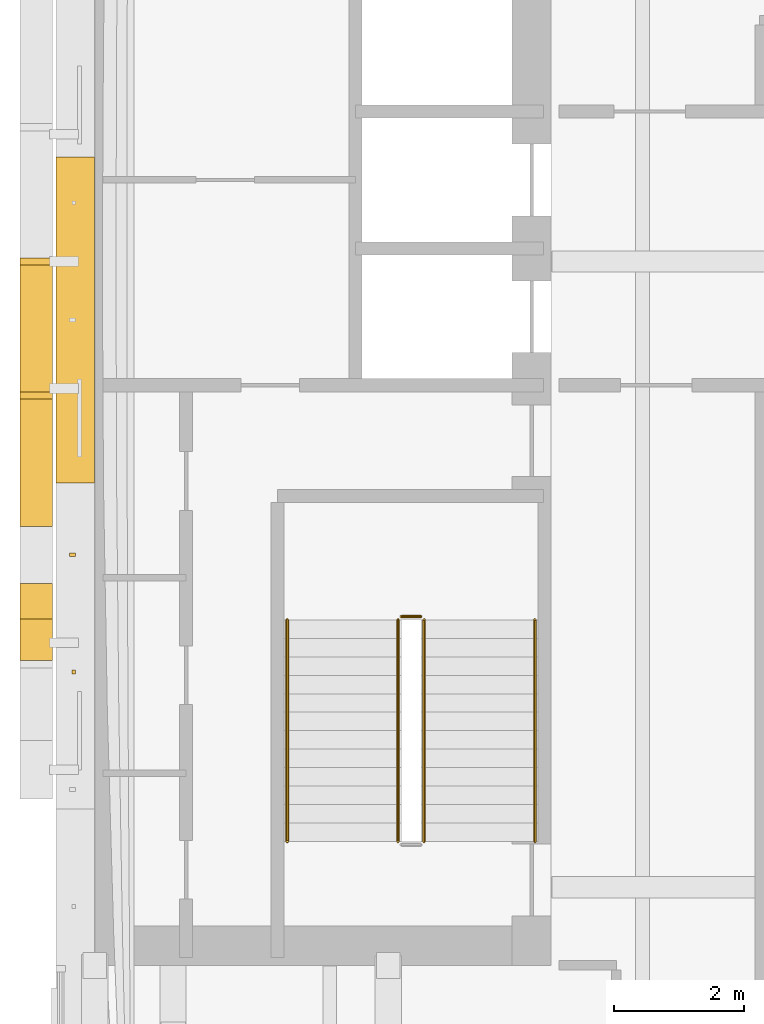
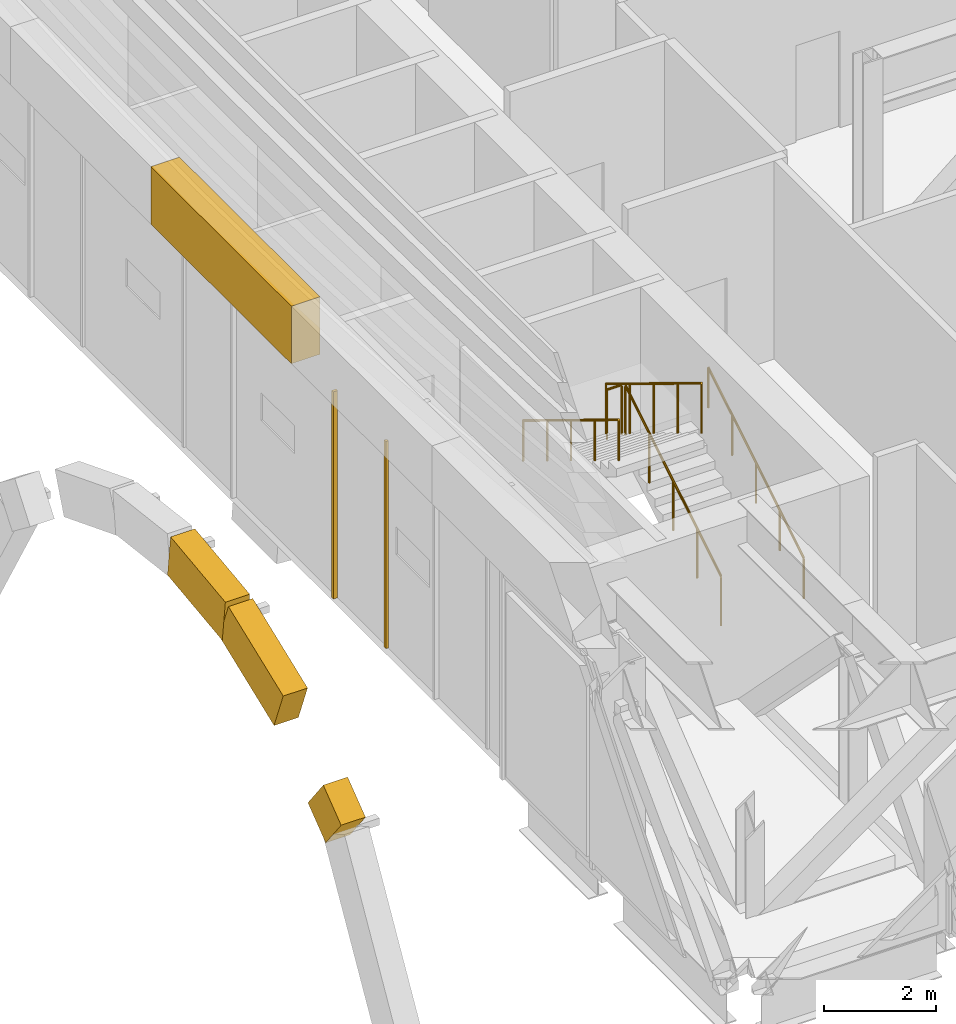
# One storey, part 19 of 38: 6 coverings, 5 railings.
"""IFC4 building model written with IfcOpenShell, lengths in metres."""

from ifc_helpers import new_model, si_unit, direction, frame, origin, origin_2d, place, context, subcontext, project, spatial, polyline, rectangle, circle, outline, extrude, material, material_profile, profile_set, type_object, element, save


model = new_model("IFC4")

# Units and contexts
model_context = context("Model", 3, precision=1e-05, world=origin(), true_north=direction((0.0, 1.0)))
body_context = subcontext(model_context, "Body", "Model", "MODEL_VIEW")
ifc_project = project(units=[si_unit("LENGTHUNIT", "METRE"), si_unit("AREAUNIT", "SQUARE_METRE"), si_unit("VOLUMEUNIT", "CUBIC_METRE"), si_unit("PLANEANGLEUNIT", "RADIAN"), si_unit("MASSUNIT", "GRAM", prefix="KILO")], contexts=[model_context])

# Site, building, storey
site_placement = place(None, origin())
site = spatial("IfcSite", under=ifc_project, at=site_placement, CompositionType="ELEMENT")
building_placement = place(site_placement, origin())
building = spatial("IfcBuilding", under=site, at=building_placement, Name="Cobrizo Arcos Hotel Tower", CompositionType="ELEMENT")
storey_placement = place(building_placement, frame((0.0, 0.0, 138.0)))
storey = spatial("IfcBuildingStorey", under=building, at=storey_placement, Name="L35", CompositionType="ELEMENT", Elevation=138.0)

# Coverings
ifc_material_1 = material(Name="Aluminium 6063-T6 anodised pale", Category="aluminium")
ifc_material_profile = material_profile(ifc_material_1, rectangle(XDim=0.5, YDim=0.89990234375, at=origin_2d()), Name="AF-2 core arch rim 500x900")
ifc_profile_set = profile_set([ifc_material_profile], Name="Aluminium 6063-T6 anodised pale")
covering_type_1 = type_object("IfcCoveringType", Name="AF-2 core arch rim 500x900", PredefinedType="CLADDING", material=ifc_profile_set)
covering_1_placement = place(storey_placement, frame((-23.699951171875, -5.85009765625, -4.03369140625), z_axis=(0.0, 0.793802879778, 0.60817512943), x_axis=(-1.0, 0.0, 0.0)))
element("IfcCovering", 1, at=covering_1_placement, inside=storey, type_object=covering_type_1, Name="Arch rim B W face", PredefinedType="CLADDING", context=body_context, shape_type="SweptSolid", body=[
    extrude(rectangle(XDim=0.5, YDim=0.89990234375, at=origin_2d()), origin(), (0.0, 0.0, 1.0), 0.799560546875),
])
covering_2_placement = place(storey_placement, frame((-23.699951171875, -3.89990234375, -2.53955078125), z_axis=(0.0, 0.931493782789, 0.363757244087), x_axis=(-1.0, 0.0, 0.0)))
element("IfcCovering", 2, at=covering_2_placement, inside=storey, type_object=covering_type_1, Name="Arch rim B W face", PredefinedType="CLADDING", context=body_context, shape_type="SweptSolid", body=[
    extrude(rectangle(XDim=0.5, YDim=0.89990234375, at=origin_2d()), origin(), (0.0, 0.0, 1.0), 2.09326171875),
])
covering_3_placement = place(storey_placement, frame((-23.699951171875, -1.949951171875, -1.778076171875), z_axis=(0.0, 0.992631300505, 0.121173847251), x_axis=(-1.0, 0.0, 0.0)))
element("IfcCovering", 3, at=covering_3_placement, inside=storey, type_object=covering_type_1, Name="Arch rim B W face", PredefinedType="CLADDING", context=body_context, shape_type="SweptSolid", body=[
    extrude(rectangle(XDim=0.5, YDim=0.89990234375, at=origin_2d()), origin(), (0.0, 0.0, 1.0), 1.96435546875),
])
covering_type_2 = type_object("IfcCoveringType", Name="LF-1 setback skirt", PredefinedType="CLADDING", material=ifc_material_1)
covering_4_placement = place(storey_placement, frame((0.0, 0.0, 4.5)))
element("IfcCovering", 4, at=covering_4_placement, inside=storey, type_object=covering_type_2, Name="Setback skirt L35", PredefinedType="CLADDING", context=body_context, shape_type="SweptSolid", body=[
    extrude(outline(polyline([(-22.81005859375, -3.39990234375), (-22.81005859375, 1.60009765625), (-23.39990234375, 1.60009765625), (-23.39990234375, -3.39990234375), (-22.81005859375, -3.39990234375)])), origin(), (0.0, 0.0, 1.0), 1.25),
])
covering_type_3 = type_object("IfcCoveringType", Name="RS-1 rainscreen rib 60x90", PredefinedType="CLADDING", material=ifc_material_1)
covering_5_placement = place(storey_placement, frame((-23.14501953125, -4.5, 0.0), z_axis=(0.0, 0.0, 1.0), x_axis=(0.0, -1.0, 0.0)))
element("IfcCovering", 5, at=covering_5_placement, inside=storey, type_object=covering_type_3, Name="Rainscreen rib 57", PredefinedType="CLADDING", context=body_context, shape_type="SweptSolid", body=[
    extrude(rectangle(XDim=0.06005859375, YDim=0.090087890625, at=origin_2d()), origin(), (0.0, 0.0, 1.0), 4.5),
])
covering_type_4 = type_object("IfcCoveringType", Name="RS-2 rainscreen rib 60x50", PredefinedType="CLADDING", material=ifc_material_1)
covering_6_placement = place(storey_placement, frame((-23.125, -6.300048828125, 0.0), z_axis=(0.0, 0.0, 1.0), x_axis=(0.0, -1.0, 0.0)))
element("IfcCovering", 6, at=covering_6_placement, inside=storey, type_object=covering_type_4, Name="Rainscreen rib 58", PredefinedType="CLADDING", context=body_context, shape_type="SweptSolid", body=[
    extrude(rectangle(XDim=0.06005859375, YDim=0.050048828125, at=origin_2d()), origin(), (0.0, 0.0, 1.0), 4.5),
])

# Railings
ifc_material_2 = material(Name="Stainless steel railing", Category="steel")
railing_type_1 = type_object("IfcRailingType", Name="Stair guard 1100", PredefinedType="GUARDRAIL", material=ifc_material_2)
railing_1_placement = place(storey_placement, frame((-17.75, -8.89990234375, 0.173095703125)))
element("IfcRailing", 7, at=railing_1_placement, inside=storey, type_object=railing_type_1, Name="L35 ST-W stair guard 1", PredefinedType="GUARDRAIL", context=body_context, shape_type="SweptSolid", body=[
    extrude(circle(Radius=0.02392578125, at=origin_2d()), frame((0.0, 0.0, 1.076171875), z_axis=(0.0, 0.853372706543, 0.52130127923), x_axis=(-1.0, 0.0, 0.0)), (0.0, 0.0, 1.0), 3.984130859375),
    extrude(circle(Radius=0.02099609375, at=origin_2d()), origin(), (0.0, 0.0, 1.0), 1.052001953125),
    extrude(circle(Radius=0.02099609375, at=origin_2d()), frame((0.0, 0.85009765625, 0.519287109375)), (0.0, 0.0, 1.0), 1.052001953125),
    extrude(circle(Radius=0.02099609375, at=origin_2d()), frame((0.0, 1.699951171875, 1.03857421875)), (0.0, 0.0, 1.0), 1.052001953125),
    extrude(circle(Radius=0.02099609375, at=origin_2d()), frame((0.0, 2.5498046875, 1.5576171875)), (0.0, 0.0, 1.0), 1.052001953125),
    extrude(circle(Radius=0.02099609375, at=origin_2d()), frame((0.0, 3.39990234375, 2.076904296875)), (0.0, 0.0, 1.0), 1.052001953125),
])
railing_2_placement = place(storey_placement, frame((-17.800048828125, -5.449951171875, 2.25)))
element("IfcRailing", 8, at=railing_2_placement, inside=storey, type_object=railing_type_1, Name="L35 ST-W stair guard 2", PredefinedType="GUARDRAIL", context=body_context, shape_type="SweptSolid", body=[
    extrude(circle(Radius=0.02392578125, at=origin_2d()), frame((0.0, 0.0, 1.076171875), z_axis=(-1.0, 0.0, 0.0), x_axis=(0.0, -1.0, 0.0)), (0.0, 0.0, 1.0), 0.300048828125),
    extrude(circle(Radius=0.02099609375, at=origin_2d()), origin(), (0.0, 0.0, 1.0), 1.052001953125),
    extrude(circle(Radius=0.02099609375, at=origin_2d()), frame((-0.300048828125, 0.0, 0.0)), (0.0, 0.0, 1.0), 1.052001953125),
])
railing_3_placement = place(storey_placement, frame((-18.14990234375, -5.5, 2.423095703125)))
element("IfcRailing", 9, at=railing_3_placement, inside=storey, type_object=railing_type_1, Name="L35 ST-W stair guard 3", PredefinedType="GUARDRAIL", context=body_context, shape_type="SweptSolid", body=[
    extrude(circle(Radius=0.02392578125, at=origin_2d()), frame((0.0, 0.0, 1.076171875), z_axis=(0.0, -0.853372706543, 0.52130127923), x_axis=(1.0, 0.0, 0.0)), (0.0, 0.0, 1.0), 3.984130859375),
    extrude(circle(Radius=0.02099609375, at=origin_2d()), origin(), (0.0, 0.0, 1.0), 1.052001953125),
    extrude(circle(Radius=0.02099609375, at=origin_2d()), frame((0.0, -0.85009765625, 0.519287109375)), (0.0, 0.0, 1.0), 1.052001953125),
    extrude(circle(Radius=0.02099609375, at=origin_2d()), frame((0.0, -1.699951171875, 1.03857421875)), (0.0, 0.0, 1.0), 1.052001953125),
    extrude(circle(Radius=0.02099609375, at=origin_2d()), frame((0.0, -2.5498046875, 1.5576171875)), (0.0, 0.0, 1.0), 1.052001953125),
    extrude(circle(Radius=0.02099609375, at=origin_2d()), frame((0.0, -3.39990234375, 2.076904296875)), (0.0, 0.0, 1.0), 1.052001953125),
])
railing_type_2 = type_object("IfcRailingType", Name="Stair handrail", PredefinedType="HANDRAIL", material=ifc_material_2)
railing_4_placement = place(storey_placement, frame((-16.050048828125, -8.89990234375, 0.173095703125)))
element("IfcRailing", 10, at=railing_4_placement, inside=storey, type_object=railing_type_2, Name="L35 ST-W stair handrail 1", PredefinedType="HANDRAIL", context=body_context, shape_type="SweptSolid", body=[
    extrude(circle(Radius=0.02392578125, at=origin_2d()), frame((0.0, 0.0, 0.8759765625), z_axis=(0.0, 0.853372706543, 0.52130127923), x_axis=(-1.0, 0.0, 0.0)), (0.0, 0.0, 1.0), 3.984130859375),
    extrude(circle(Radius=0.02099609375, at=origin_2d()), origin(), (0.0, 0.0, 1.0), 0.851806640625),
    extrude(circle(Radius=0.02099609375, at=origin_2d()), frame((0.0, 0.85009765625, 0.519287109375)), (0.0, 0.0, 1.0), 0.851806640625),
    extrude(circle(Radius=0.02099609375, at=origin_2d()), frame((0.0, 1.699951171875, 1.03857421875)), (0.0, 0.0, 1.0), 0.851806640625),
    extrude(circle(Radius=0.02099609375, at=origin_2d()), frame((0.0, 2.5498046875, 1.5576171875)), (0.0, 0.0, 1.0), 0.851806640625),
    extrude(circle(Radius=0.02099609375, at=origin_2d()), frame((0.0, 3.39990234375, 2.076904296875)), (0.0, 0.0, 1.0), 0.851806640625),
])
railing_5_placement = place(storey_placement, frame((-19.85009765625, -5.5, 2.423095703125)))
element("IfcRailing", 11, at=railing_5_placement, inside=storey, type_object=railing_type_2, Name="L35 ST-W stair handrail 2", PredefinedType="HANDRAIL", context=body_context, shape_type="SweptSolid", body=[
    extrude(circle(Radius=0.02392578125, at=origin_2d()), frame((0.0, 0.0, 0.8759765625), z_axis=(0.0, -0.853372706543, 0.52130127923), x_axis=(1.0, 0.0, 0.0)), (0.0, 0.0, 1.0), 3.984130859375),
    extrude(circle(Radius=0.02099609375, at=origin_2d()), origin(), (0.0, 0.0, 1.0), 0.851806640625),
    extrude(circle(Radius=0.02099609375, at=origin_2d()), frame((0.0, -0.85009765625, 0.519287109375)), (0.0, 0.0, 1.0), 0.851806640625),
    extrude(circle(Radius=0.02099609375, at=origin_2d()), frame((0.0, -1.699951171875, 1.03857421875)), (0.0, 0.0, 1.0), 0.851806640625),
    extrude(circle(Radius=0.02099609375, at=origin_2d()), frame((0.0, -2.5498046875, 1.5576171875)), (0.0, 0.0, 1.0), 0.851806640625),
    extrude(circle(Radius=0.02099609375, at=origin_2d()), frame((0.0, -3.39990234375, 2.076904296875)), (0.0, 0.0, 1.0), 0.851806640625),
])

save(model, "model.ifc")
